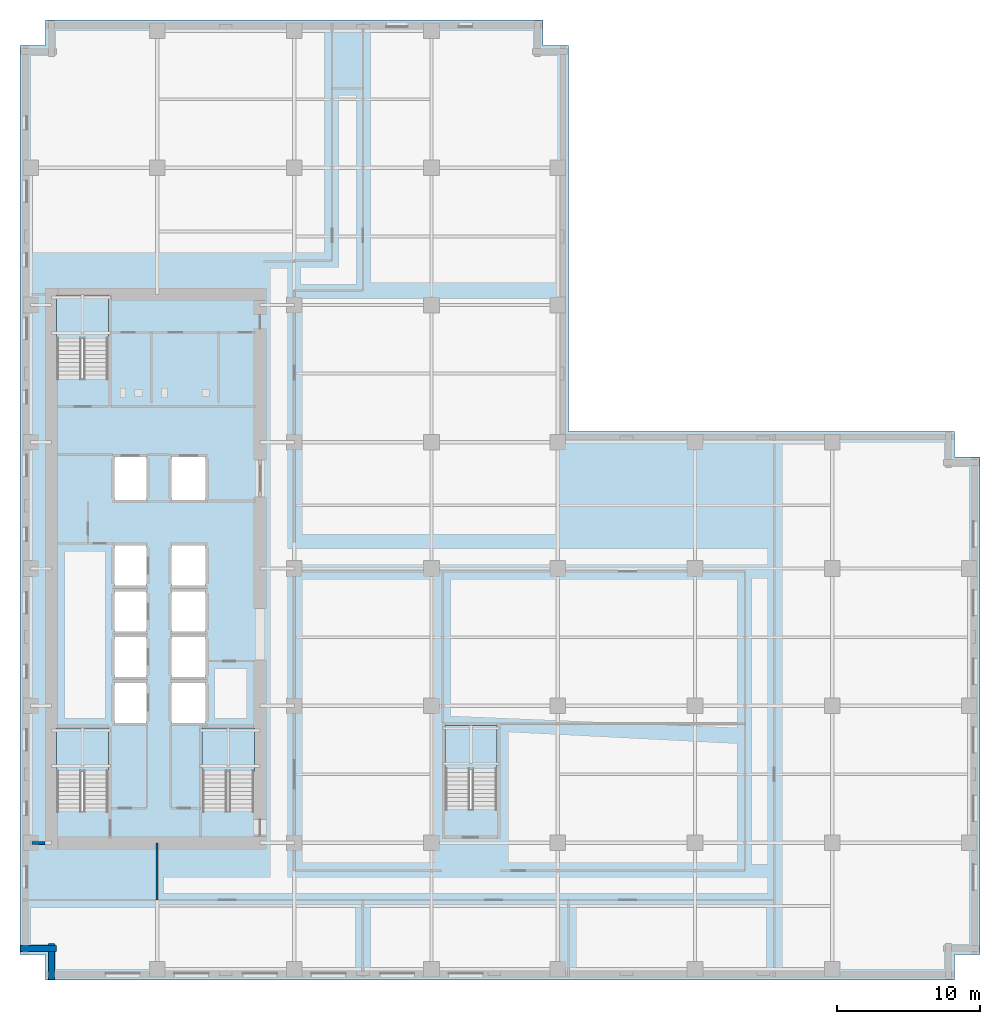
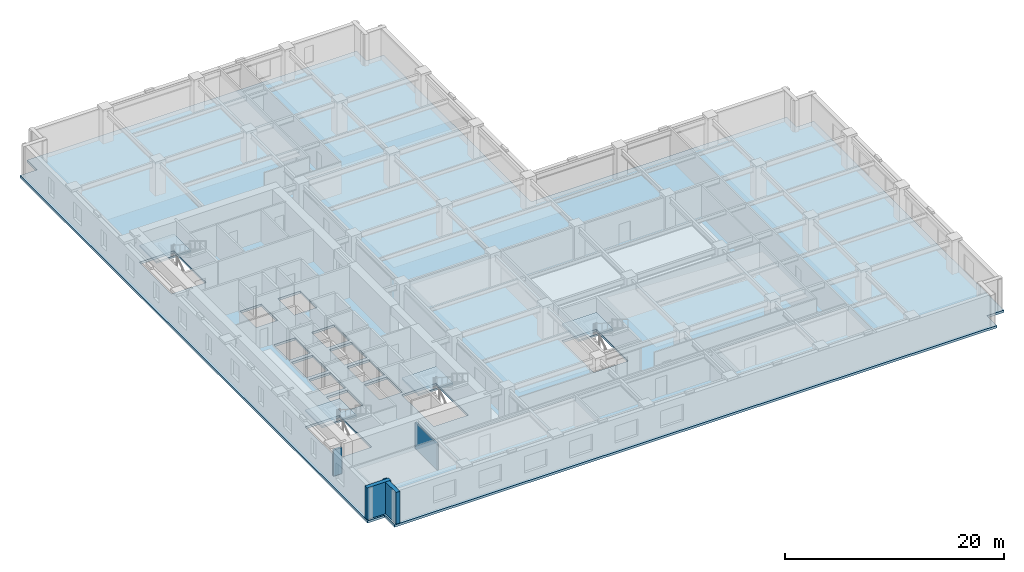
# One storey, part 3 of 13: 5 slabs, 4 walls, 4 elements without a shape of their own.
"""IFC4 building model written with IfcOpenShell, lengths in metres."""

from ifc_helpers import new_model, si_unit, direction, frame, frame_2d, origin, place, context, subcontext, project, spatial, polyline, rectangle, outline, extrude, material, layer, layer_set, type_object, element, aggregate, save


model = new_model("IFC4")

# Units and contexts
model_context = context("Model", 3, precision=1e-05, world=origin(), true_north=direction((0.0, 1.0)))
body_context = subcontext(model_context, "Body", "Model", "MODEL_VIEW")
ifc_project = project(units=[si_unit("LENGTHUNIT", "METRE"), si_unit("AREAUNIT", "SQUARE_METRE"), si_unit("VOLUMEUNIT", "CUBIC_METRE"), si_unit("PLANEANGLEUNIT", "RADIAN"), si_unit("MASSUNIT", "GRAM", prefix="KILO")], contexts=[model_context])

# Site, building, storey
site_placement = place(None, origin())
site = spatial("IfcSite", under=ifc_project, at=site_placement, CompositionType="ELEMENT")
building_placement = place(site_placement, origin())
building = spatial("IfcBuilding", under=site, at=building_placement, Name="Norrvale University Quadrangle", CompositionType="ELEMENT")
storey_placement = place(building_placement, frame((0.0, 0.0, 69.800048828125)))
storey = spatial("IfcBuildingStorey", under=building, at=storey_placement, Name="L17", CompositionType="ELEMENT", Elevation=69.800048828125)

# Stair, slab
ifc_material_1 = material(Name="Concrete C40/50", Category="concrete")
stair_type = type_object("IfcStairType", Name="Stair Tower Typ 3800", PredefinedType="TWO_STRAIGHT_RUN_STAIR", material=ifc_material_1)
stair_1_placement = place(storey_placement, origin())
stair_1 = element("IfcStair", 1, at=stair_1_placement, inside=storey, type_object=stair_type, Name="Exit Stair ST-01 L17", PredefinedType="TWO_STRAIGHT_RUN_STAIR")
ifc_layer_1 = layer(ifc_material_1, 0.199951171875, Name="Concrete C40/50")
ifc_layer_set_1 = layer_set([ifc_layer_1], Name="Concrete C40/50")
slab_type_1 = type_object("IfcSlabType", Name="Slab Landing 200", PredefinedType="LANDING", material=ifc_layer_set_1)
slab_1_placement = place(storey_placement, frame((0.0, 0.0, 1.699951171875)))
slab_1 = element("IfcSlab", 2, at=slab_1_placement, type_object=slab_type_1, Name="Exit Stair ST-01 L17 Mid Landing", PredefinedType="LANDING", context=body_context, shape_type="SweptSolid", body=[
    extrude(outline(polyline([(2.550048828125, 14.590087890625), (6.199951171875, 14.590087890625), (6.199951171875, 17.64990234375), (2.550048828125, 17.64990234375), (2.550048828125, 14.590087890625)])), origin(), (0.0, 0.0, 1.0), 0.199951171875),
])
aggregate(stair_1, [slab_1])

stair_2_placement = place(storey_placement, origin())
stair_2 = element("IfcStair", 3, at=stair_2_placement, inside=storey, type_object=stair_type, Name="Exit Stair ST-02 L17", PredefinedType="TWO_STRAIGHT_RUN_STAIR")
slab_2_placement = place(storey_placement, frame((0.0, 0.0, 1.699951171875)))
slab_2 = element("IfcSlab", 4, at=slab_2_placement, type_object=slab_type_1, Name="Exit Stair ST-02 L17 Mid Landing", PredefinedType="LANDING", context=body_context, shape_type="SweptSolid", body=[
    extrude(outline(polyline([(2.550048828125, 44.889892578125), (6.199951171875, 44.889892578125), (6.199951171875, 47.949951171875), (2.550048828125, 47.949951171875), (2.550048828125, 44.889892578125)])), origin(), (0.0, 0.0, 1.0), 0.199951171875),
])
aggregate(stair_2, [slab_2])

stair_3_placement = place(storey_placement, origin())
stair_3 = element("IfcStair", 5, at=stair_3_placement, inside=storey, type_object=stair_type, Name="Exit Stair ST-03 L17", PredefinedType="TWO_STRAIGHT_RUN_STAIR")
slab_3_placement = place(storey_placement, frame((0.0, 0.0, 1.699951171875)))
slab_3 = element("IfcSlab", 6, at=slab_3_placement, type_object=slab_type_1, Name="Exit Stair ST-03 L17 Mid Landing", PredefinedType="LANDING", context=body_context, shape_type="SweptSolid", body=[
    extrude(outline(polyline([(12.75, 14.590087890625), (16.39990234375, 14.590087890625), (16.39990234375, 17.64990234375), (12.75, 17.64990234375), (12.75, 14.590087890625)])), origin(), (0.0, 0.0, 1.0), 0.199951171875),
])
aggregate(stair_3, [slab_3])

stair_4_placement = place(storey_placement, origin())
stair_4 = element("IfcStair", 7, at=stair_4_placement, inside=storey, type_object=stair_type, Name="Exit Stair ST-04 L17", PredefinedType="TWO_STRAIGHT_RUN_STAIR")
slab_4_placement = place(storey_placement, frame((0.0, 0.0, 1.699951171875)))
slab_4 = element("IfcSlab", 8, at=slab_4_placement, type_object=slab_type_1, Name="Exit Stair ST-04 L17 Mid Landing", PredefinedType="LANDING", context=body_context, shape_type="SweptSolid", body=[
    extrude(outline(polyline([(29.75, 14.739990234375), (33.39990234375, 14.739990234375), (33.39990234375, 17.800048828125), (29.75, 17.800048828125), (29.75, 14.739990234375)])), origin(), (0.0, 0.0, 1.0), 0.199951171875),
])
aggregate(stair_4, [slab_4])

# Slab
ifc_layer_2 = layer(ifc_material_1, 0.260009765625, Name="Concrete C40/50")
ifc_layer_set_2 = layer_set([ifc_layer_2], Name="Concrete C40/50")
slab_type_2 = type_object("IfcSlabType", Name="Slab Tower Typ 260", PredefinedType="FLOOR", material=ifc_layer_set_2)
slab_5_placement = place(storey_placement, frame((0.0, 0.0, -0.260009765625)))
element("IfcSlab", 9, at=slab_5_placement, inside=storey, type_object=slab_type_2, Name="Tower L17 Floor Slab", PredefinedType="FLOOR", context=body_context, shape_type="SweptSolid", body=[
    extrude(outline(polyline([(1.800048828125, 0.0), (65.39990234375, 0.0), (65.39990234375, 1.800048828125), (67.199951171875, 1.800048828125), (67.199951171875, 36.60009765625), (65.39990234375, 36.60009765625), (65.39990234375, 38.39990234375), (38.39990234375, 38.39990234375), (38.39990234375, 65.39990234375), (36.60009765625, 65.39990234375), (36.60009765625, 67.199951171875), (1.800048828125, 67.199951171875), (1.800048828125, 65.39990234375), (0.0, 65.39990234375), (0.0, 1.800048828125), (1.800048828125, 1.800048828125), (1.800048828125, 0.0)]), holes=[polyline([(2.550048828125, 11.81005859375), (6.199951171875, 11.81005859375), (6.199951171875, 17.64990234375), (2.550048828125, 17.64990234375), (2.550048828125, 11.81005859375)]), polyline([(2.550048828125, 42.110107421875), (6.199951171875, 42.110107421875), (6.199951171875, 47.949951171875), (2.550048828125, 47.949951171875), (2.550048828125, 42.110107421875)]), polyline([(12.75, 11.81005859375), (16.39990234375, 11.81005859375), (16.39990234375, 17.64990234375), (12.75, 17.64990234375), (12.75, 11.81005859375)]), polyline([(29.75, 11.9599609375), (33.39990234375, 11.9599609375), (33.39990234375, 17.800048828125), (29.75, 17.800048828125), (29.75, 11.9599609375)]), polyline([(6.60009765625, 18.0), (8.85009765625, 18.0), (8.85009765625, 20.800048828125), (6.60009765625, 20.800048828125), (6.60009765625, 18.0)]), polyline([(6.60009765625, 21.199951171875), (8.85009765625, 21.199951171875), (8.85009765625, 24.0), (6.60009765625, 24.0), (6.60009765625, 21.199951171875)]), polyline([(6.60009765625, 24.39990234375), (8.85009765625, 24.39990234375), (8.85009765625, 27.199951171875), (6.60009765625, 27.199951171875), (6.60009765625, 24.39990234375)]), polyline([(6.60009765625, 27.60009765625), (8.85009765625, 27.60009765625), (8.85009765625, 30.39990234375), (6.60009765625, 30.39990234375), (6.60009765625, 27.60009765625)]), polyline([(10.60009765625, 18.0), (13.0, 18.0), (13.0, 20.800048828125), (10.60009765625, 20.800048828125), (10.60009765625, 18.0)]), polyline([(10.60009765625, 21.199951171875), (13.0, 21.199951171875), (13.0, 24.0), (10.60009765625, 24.0), (10.60009765625, 21.199951171875)]), polyline([(10.60009765625, 24.39990234375), (13.0, 24.39990234375), (13.0, 27.199951171875), (10.60009765625, 27.199951171875), (10.60009765625, 24.39990234375)]), polyline([(10.60009765625, 27.60009765625), (13.0, 27.60009765625), (13.0, 30.39990234375), (10.60009765625, 30.39990234375), (10.60009765625, 27.60009765625)]), polyline([(6.60009765625, 33.60009765625), (8.85009765625, 33.60009765625), (8.85009765625, 36.60009765625), (6.60009765625, 36.60009765625), (6.60009765625, 33.60009765625)]), polyline([(10.60009765625, 33.60009765625), (13.0, 33.60009765625), (13.0, 36.60009765625), (10.60009765625, 36.60009765625), (10.60009765625, 33.60009765625)])]), origin(), (0.0, 0.0, 1.0), 0.260009765625),
])

# Walls
ifc_material_2 = material(Name="Buff Norman Clay Brick Masonry", Category="masonry")
ifc_layer_3 = layer(ifc_material_2, 0.419921875, Name="Buff Norman Clay Brick Masonry")
ifc_layer_set_3 = layer_set([ifc_layer_3], Name="Buff Norman Clay Brick Masonry")
wall_type_1 = type_object("IfcWallType", Name="Wall Buff Brick 420", PredefinedType="SOLIDWALL", material=ifc_layer_set_3)
for number, where, z_axis, x_axis, name in (
    (10, (0.0400390625, 2.18994140625, 0.0), (0.0, 0.0, 1.0), (1.0, 0.0, 0.0), "Exterior Brick Facade Wall L17-15.1"),
    (11, (2.18994140625, 2.5400390625, 0.0), (0.0, 0.0, 1.0), (0.0, -1.0, 0.0), "Exterior Brick Facade Wall L17-16.1"),
):
    element("IfcWall", number, at=place(storey_placement, frame(where, z_axis=z_axis, x_axis=x_axis)), inside=storey, type_object=wall_type_1, Name=name, PredefinedType="SOLIDWALL", context=body_context, shape_type="SweptSolid", body=[
        extrude(rectangle(XDim=2.5, YDim=0.419921875, at=frame_2d((1.25, 0.0))), origin(), (0.0, 0.0, 1.0), 3.5400390625),
    ])
ifc_material_3 = material(Name="Fire-Rated Gypsum Stud Partition")
ifc_layer_4 = layer(ifc_material_3, 0.14990234375, Name="Fire-Rated Gypsum Stud Partition")
ifc_layer_set_4 = layer_set([ifc_layer_4], Name="Fire-Rated Gypsum Stud Partition")
wall_type_2 = type_object("IfcWallType", Name="Wall Gypsum Corridor 150", PredefinedType="PARTITIONING", material=ifc_layer_set_4)
wall_1_placement = place(storey_placement, frame((9.60009765625, 5.60009765625, 0.0), z_axis=(0.0, 0.0, 1.0), x_axis=(0.0, 1.0, 0.0)))
element("IfcWall", 12, at=wall_1_placement, inside=storey, type_object=wall_type_2, Name="Interior Partition WL-L17-CSW-END", PredefinedType="PARTITIONING", context=body_context, shape_type="SweptSolid", body=[
    extrude(rectangle(XDim=4.0, YDim=0.14990234375, at=frame_2d((2.0, 0.0))), origin(), (0.0, 0.0, 1.0), 2.9228515625),
])
ifc_material_4 = material(Name="Concrete Blockwork 20 MPa Rated Wall", Category="masonry")
ifc_layer_5 = layer(ifc_material_4, 0.199951171875, Name="Concrete Blockwork 20 MPa Rated Wall")
ifc_layer_set_5 = layer_set([ifc_layer_5], Name="Concrete Blockwork 20 MPa Rated Wall")
wall_type_3 = type_object("IfcWallType", Name="Wall Lobby 200", PredefinedType="SOLIDWALL", material=ifc_layer_set_5)
wall_2_placement = place(storey_placement, frame((0.85009765625, 9.60009765625, 0.0), z_axis=(0.0, 0.0, 1.0), x_axis=(1.0, 0.0, 0.0)))
element("IfcWall", 13, at=wall_2_placement, inside=storey, type_object=wall_type_3, Name="Interior Partition WL-L17-CWRET-S", PredefinedType="SOLIDWALL", context=body_context, shape_type="SweptSolid", body=[
    extrude(rectangle(XDim=0.89501953125, YDim=0.199951171875, at=frame_2d((0.447509765625, 0.0))), origin(), (0.0, 0.0, 1.0), 2.9228515625),
])

save(model, "model.ifc")
